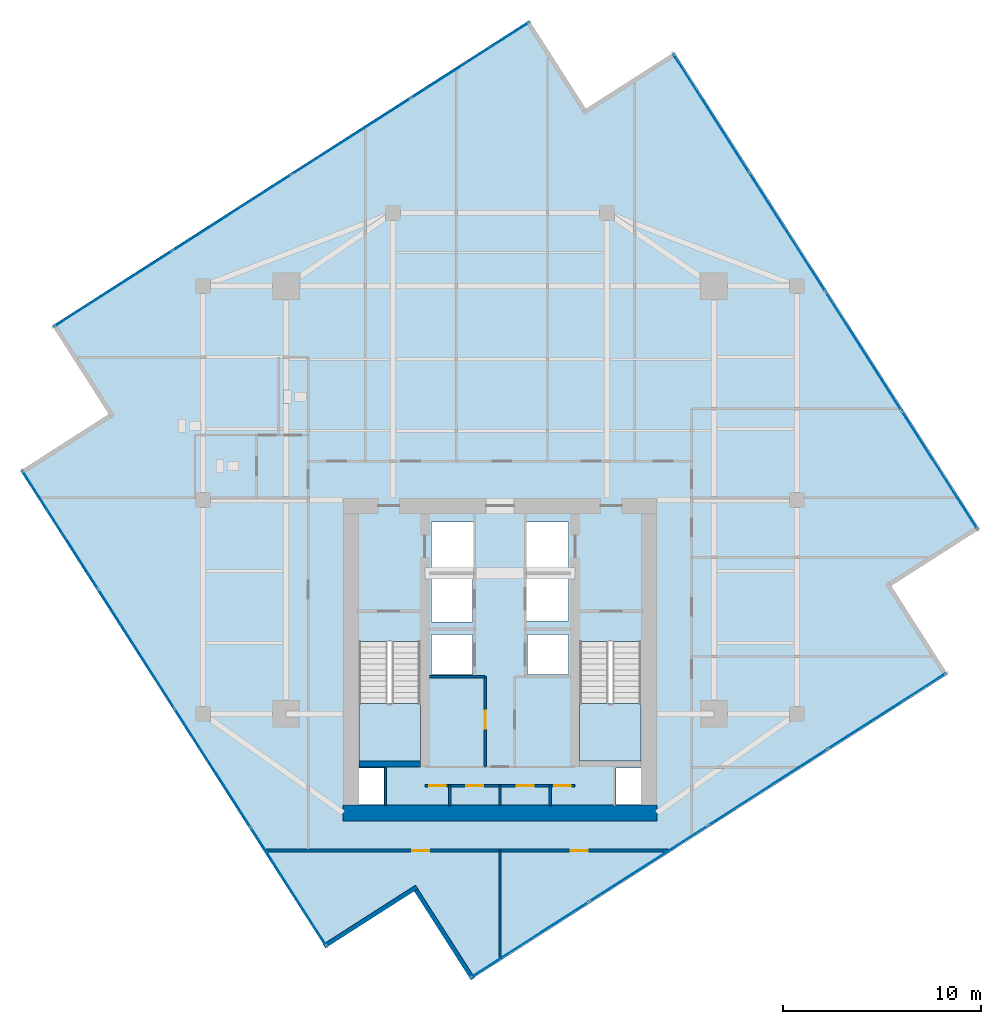
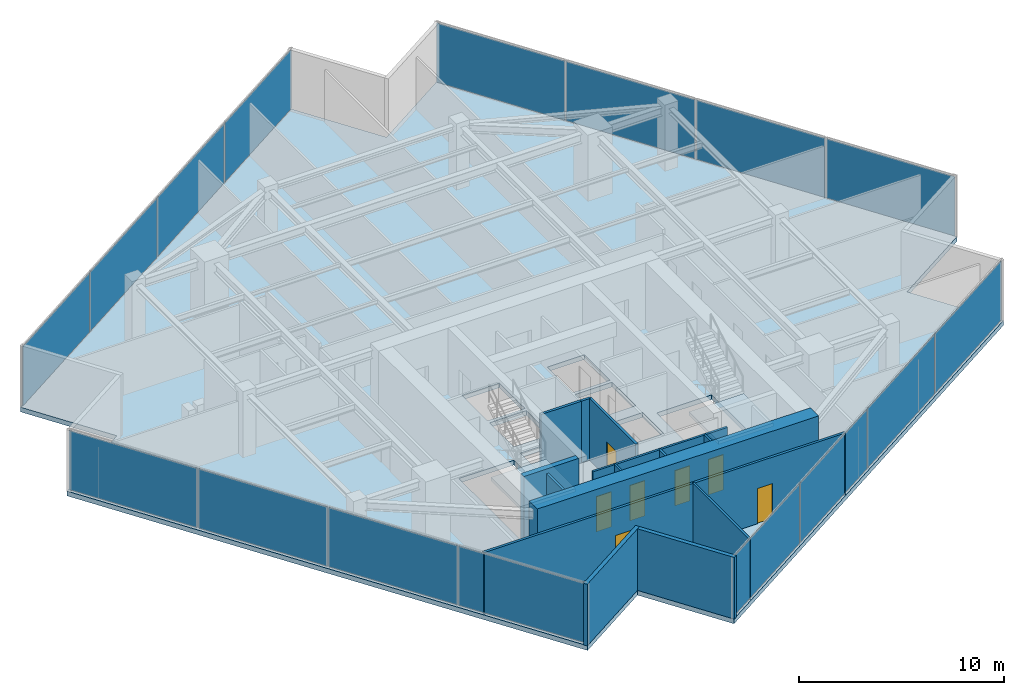
# One storey, part 16 of 20: 16 plates, 14 walls, 7 doors, 3 slabs, 7 openings, 6 elements without a shape of their own.
"""IFC4 building model written with IfcOpenShell, lengths in metres."""

from ifc_helpers import new_model, si_unit, direction, frame, frame_2d, origin, origin_2d, place, context, subcontext, project, spatial, polyline, rectangle, outline, extrude, source, transform, mapped, material, layer, layer_set, type_object, type_shapes, element, fill, aggregate, save


model = new_model("IFC4")

# Units and contexts
model_context = context("Model", 3, precision=1e-05, world=origin(), true_north=direction((0.0, 1.0)))
body_context = subcontext(model_context, "Body", "Model", "MODEL_VIEW")
ifc_project = project(units=[si_unit("LENGTHUNIT", "METRE"), si_unit("AREAUNIT", "SQUARE_METRE"), si_unit("VOLUMEUNIT", "CUBIC_METRE"), si_unit("PLANEANGLEUNIT", "RADIAN"), si_unit("MASSUNIT", "GRAM", prefix="KILO")], contexts=[model_context])

# Site, building, storey
site_placement = place(None, origin())
site = spatial("IfcSite", under=ifc_project, at=site_placement, CompositionType="ELEMENT")
building_placement = place(site_placement, origin())
building = spatial("IfcBuilding", under=site, at=building_placement, Name="Krantzveldt Concourse Tower", CompositionType="ELEMENT")
storey_placement = place(building_placement, frame((0.0, 0.0, 283.199951171875)))
storey = spatial("IfcBuildingStorey", under=building, at=storey_placement, Name="L69", CompositionType="ELEMENT", Elevation=283.199951171875)

# Stair, slab
ifc_material_1 = material(Name="Precast concrete C40/50", Category="concrete")
stair_type = type_object("IfcStairType", Name="STR-CORE-DOGLEG", PredefinedType="HALF_TURN_STAIR", material=ifc_material_1)
stair_1_placement = place(storey_placement, origin())
stair_1 = element("IfcStair", 1, at=stair_1_placement, inside=storey, type_object=stair_type, Name="L69 Protected Escape Stair ST-1", PredefinedType="HALF_TURN_STAIR")
ifc_layer_1 = layer(ifc_material_1, 0.199951171875, Name="Precast concrete C40/50", Category="concrete")
ifc_layer_set_1 = layer_set([ifc_layer_1], Name="Precast concrete C40/50 (SL-LANDING-200)")
slab_type_1 = type_object("IfcSlabType", Name="SL-LANDING-200", PredefinedType="LANDING", material=ifc_layer_set_1)
slab_1_placement = place(storey_placement, frame((0.0, 0.0, 1.775146484375)))
slab_1 = element("IfcSlab", 2, at=slab_1_placement, type_object=slab_type_1, Name="ST-1 landing 1", PredefinedType="LANDING", context=body_context, shape_type="SweptSolid", body=[
    extrude(outline(polyline([(28.8798828125, 16.4150390625), (28.8798828125, 13.52001953125), (31.97998046875, 13.52001953125), (31.97998046875, 16.4150390625), (28.8798828125, 16.4150390625)])), origin(), (0.0, 0.0, 1.0), 0.199951171875),
])
aggregate(stair_1, [slab_1])

stair_2_placement = place(storey_placement, origin())
stair_2 = element("IfcStair", 3, at=stair_2_placement, inside=storey, type_object=stair_type, Name="L69 Protected Escape Stair ST-2", PredefinedType="HALF_TURN_STAIR")
slab_2_placement = place(storey_placement, frame((0.0, 0.0, 1.775146484375)))
slab_2 = element("IfcSlab", 4, at=slab_2_placement, type_object=slab_type_1, Name="ST-2 landing 1", PredefinedType="LANDING", context=body_context, shape_type="SweptSolid", body=[
    extrude(outline(polyline([(40.02001953125, 16.4150390625), (40.02001953125, 13.52001953125), (43.1201171875, 13.52001953125), (43.1201171875, 16.4150390625), (40.02001953125, 16.4150390625)])), origin(), (0.0, 0.0, 1.0), 0.199951171875),
])
aggregate(stair_2, [slab_2])

# Slab
ifc_material_2 = material(Name="Concrete C40/50", Category="concrete")
ifc_layer_2 = layer(ifc_material_2, 0.280029296875, Name="Concrete C40/50", Category="concrete")
ifc_layer_set_2 = layer_set([ifc_layer_2], Name="Concrete C40/50 (SL-SL-TWR280)")
slab_type_2 = type_object("IfcSlabType", Name="SL-SL-TWR280", PredefinedType="FLOOR", material=ifc_layer_set_2)
slab_3_placement = place(storey_placement, frame((0.0, 0.0, -0.280029296875)))
element("IfcSlab", 5, at=slab_3_placement, inside=storey, type_object=slab_type_2, Name="SL-L69-MAIN", PredefinedType="FLOOR", context=body_context, shape_type="SweptSolid", body=[
    extrude(outline(polyline([(40.333984375, 46.453369140625), (37.4765625, 50.917236328125), (13.38916015625, 35.497802734375), (16.24658203125, 31.033935546875), (11.782958984375, 28.176513671875), (27.2021484375, 4.089111328125), (31.666015625, 6.946533203125), (34.5234375, 2.48291015625), (58.61083984375, 17.902099609375), (55.75341796875, 22.365966796875), (60.217041015625, 25.223388671875), (44.7978515625, 49.310791015625), (40.333984375, 46.453369140625)]), holes=[polyline([(28.8798828125, 19.547607421875), (28.8798828125, 13.52001953125), (31.97998046875, 13.52001953125), (31.97998046875, 19.547607421875), (28.8798828125, 19.547607421875)]), polyline([(40.02001953125, 19.547607421875), (40.02001953125, 13.52001953125), (43.1201171875, 13.52001953125), (43.1201171875, 19.547607421875), (40.02001953125, 19.547607421875)]), polyline([(32.550048828125, 23.10009765625), (34.64990234375, 23.10009765625), (34.64990234375, 25.60009765625), (32.550048828125, 25.60009765625), (32.550048828125, 23.10009765625)]), polyline([(37.35009765625, 23.10009765625), (39.449951171875, 23.10009765625), (39.449951171875, 25.60009765625), (37.35009765625, 25.60009765625), (37.35009765625, 23.10009765625)]), polyline([(37.35009765625, 20.60009765625), (39.449951171875, 20.60009765625), (39.449951171875, 22.89990234375), (37.35009765625, 22.89990234375), (37.35009765625, 20.60009765625)]), polyline([(32.550048828125, 20.550048828125), (34.6201171875, 20.550048828125), (34.6201171875, 22.89990234375), (32.550048828125, 22.89990234375), (32.550048828125, 20.550048828125)]), polyline([(32.550048828125, 17.8798828125), (34.6201171875, 17.8798828125), (34.6201171875, 19.919921875), (32.550048828125, 19.919921875), (32.550048828125, 17.8798828125)]), polyline([(37.3798828125, 17.8798828125), (39.449951171875, 17.8798828125), (39.449951171875, 19.919921875), (37.3798828125, 19.919921875), (37.3798828125, 17.8798828125)]), polyline([(28.8798828125, 11.320068359375), (30.139892578125, 11.320068359375), (30.139892578125, 13.159912109375), (28.8798828125, 13.159912109375), (28.8798828125, 11.320068359375)]), polyline([(41.860107421875, 11.320068359375), (43.1201171875, 11.320068359375), (43.1201171875, 13.159912109375), (41.860107421875, 13.159912109375), (41.860107421875, 11.320068359375)])]), origin(), (0.0, 0.0, 1.0), 0.280029296875),
])

# Curtain wall, plates
ifc_material_3 = material(Name="Anodised aluminium 6063-T6", Category="aluminium")
curtain_wall_type = type_object("IfcCurtainWallType", Name="CW4", PredefinedType="USERDEFINED", material=ifc_material_3)
curtain_wall_1_placement = place(storey_placement, origin())
curtain_wall_1 = element("IfcCurtainWall", 6, at=curtain_wall_1_placement, inside=storey, type_object=curtain_wall_type, Name="CW-L69-F01", ObjectType="UNITISED CURTAIN WALL", PredefinedType="USERDEFINED")
ifc_material_4 = material(Name="Bronze-tinted laminated low-E IGU glass", Category="glass")
ifc_layer_3 = layer(ifc_material_4, 0.031982421875, Name="Bronze-tinted laminated low-E IGU glass", Category="glass")
ifc_layer_set_3 = layer_set([ifc_layer_3], Name="Bronze-tinted laminated low-E IGU glass (CW-GLZ-32)")
plate_type = type_object("IfcPlateType", Name="CW-GLZ-32", PredefinedType="CURTAIN_PANEL", material=ifc_layer_set_3)
shared_shape_1 = source(origin(), body_context, "Body", "SweptSolid", [
    extrude(rectangle(XDim=7.044921875, YDim=0.031982421875, at=origin_2d()), origin(), (0.0, 0.0, 1.0), 3.530029296875),
])
plate_1_placement = place(storey_placement, frame((34.49951171875, 48.904541015625, 0.06982421875), z_axis=(0.0, 0.0, 1.0), x_axis=(-0.842217243088, -0.53913830827, 0.0)))
plate_1 = element("IfcPlate", 7, at=plate_1_placement, type_object=plate_type, Name="CW-Z56 panel 1.1", PredefinedType="CURTAIN_PANEL", context=body_context, shape_type="MappedRepresentation", body=[
    mapped(shared_shape_1, transform((0.0, 0.0, 0.0), x_axis=(1.0, 0.0, 0.0), y_axis=(0.0, 1.0, 0.0), z_axis=(0.0, 0.0, 1.0), scale=1.0)),
])
plate_2_placement = place(storey_placement, frame((16.46337890625, 37.35888671875, 0.06982421875), z_axis=(0.0, 0.0, 1.0), x_axis=(-0.842217243088, -0.53913830827, 0.0)))
plate_2 = element("IfcPlate", 8, at=plate_2_placement, type_object=plate_type, Name="CW-Z56 panel 4.1", PredefinedType="CURTAIN_PANEL", context=body_context, shape_type="MappedRepresentation", body=[
    mapped(shared_shape_1, transform((0.0, 0.0, 0.0), x_axis=(1.0, 0.0, 0.0), y_axis=(0.0, 1.0, 0.0), z_axis=(0.0, 0.0, 1.0), scale=1.0)),
])

curtain_wall_2_placement = place(storey_placement, origin())
curtain_wall_2 = element("IfcCurtainWall", 9, at=curtain_wall_2_placement, inside=storey, type_object=curtain_wall_type, Name="CW-L69-F04", ObjectType="UNITISED CURTAIN WALL", PredefinedType="USERDEFINED")
plate_3_placement = place(storey_placement, frame((13.79541015625, 25.199462890625, 0.06982421875), z_axis=(0.0, 0.0, 1.0), x_axis=(0.53913830827, -0.842217243088, 0.0)))
plate_3 = element("IfcPlate", 10, at=plate_3_placement, type_object=plate_type, Name="CW-Z56 panel 1.1", PredefinedType="CURTAIN_PANEL", context=body_context, shape_type="MappedRepresentation", body=[
    mapped(shared_shape_1, transform((0.0, 0.0, 0.0), x_axis=(1.0, 0.0, 0.0), y_axis=(0.0, 1.0, 0.0), z_axis=(0.0, 0.0, 1.0), scale=1.0)),
])
plate_4_placement = place(storey_placement, frame((25.341064453125, 7.163330078125, 0.06982421875), z_axis=(0.0, 0.0, 1.0), x_axis=(0.53913830827, -0.842217243088, 0.0)))
plate_4 = element("IfcPlate", 11, at=plate_4_placement, type_object=plate_type, Name="CW-Z56 panel 4.1", PredefinedType="CURTAIN_PANEL", context=body_context, shape_type="MappedRepresentation", body=[
    mapped(shared_shape_1, transform((0.0, 0.0, 0.0), x_axis=(1.0, 0.0, 0.0), y_axis=(0.0, 1.0, 0.0), z_axis=(0.0, 0.0, 1.0), scale=1.0)),
])

curtain_wall_3_placement = place(storey_placement, origin())
curtain_wall_3 = element("IfcCurtainWall", 12, at=curtain_wall_3_placement, inside=storey, type_object=curtain_wall_type, Name="CW-L69-F07", ObjectType="UNITISED CURTAIN WALL", PredefinedType="USERDEFINED")
plate_5_placement = place(storey_placement, frame((37.50048828125, 4.49560546875, 0.06982421875), z_axis=(0.0, 0.0, 1.0), x_axis=(0.842217243088, 0.53913830827, 0.0)))
plate_5 = element("IfcPlate", 13, at=plate_5_placement, type_object=plate_type, Name="CW-Z56 panel 1.1", PredefinedType="CURTAIN_PANEL", context=body_context, shape_type="MappedRepresentation", body=[
    mapped(shared_shape_1, transform((0.0, 0.0, 0.0), x_axis=(1.0, 0.0, 0.0), y_axis=(0.0, 1.0, 0.0), z_axis=(0.0, 0.0, 1.0), scale=1.0)),
])
plate_6_placement = place(storey_placement, frame((55.53662109375, 16.041259765625, 0.06982421875), z_axis=(0.0, 0.0, 1.0), x_axis=(0.842217243088, 0.53913830827, 0.0)))
plate_6 = element("IfcPlate", 14, at=plate_6_placement, type_object=plate_type, Name="CW-Z56 panel 4.1", PredefinedType="CURTAIN_PANEL", context=body_context, shape_type="MappedRepresentation", body=[
    mapped(shared_shape_1, transform((0.0, 0.0, 0.0), x_axis=(1.0, 0.0, 0.0), y_axis=(0.0, 1.0, 0.0), z_axis=(0.0, 0.0, 1.0), scale=1.0)),
])

curtain_wall_4_placement = place(storey_placement, origin())
curtain_wall_4 = element("IfcCurtainWall", 15, at=curtain_wall_4_placement, inside=storey, type_object=curtain_wall_type, Name="CW-L69-F10", ObjectType="UNITISED CURTAIN WALL", PredefinedType="USERDEFINED")
plate_7_placement = place(storey_placement, frame((58.20458984375, 28.200439453125, 0.06982421875), z_axis=(0.0, 0.0, 1.0), x_axis=(-0.53913830827, 0.842217243088, 0.0)))
plate_7 = element("IfcPlate", 16, at=plate_7_placement, type_object=plate_type, Name="CW-Z56 panel 1.1", PredefinedType="CURTAIN_PANEL", context=body_context, shape_type="MappedRepresentation", body=[
    mapped(shared_shape_1, transform((0.0, 0.0, 0.0), x_axis=(1.0, 0.0, 0.0), y_axis=(0.0, 1.0, 0.0), z_axis=(0.0, 0.0, 1.0), scale=1.0)),
])
plate_8_placement = place(storey_placement, frame((46.658935546875, 46.236572265625, 0.06982421875), z_axis=(0.0, 0.0, 1.0), x_axis=(-0.53913830827, 0.842217243088, 0.0)))
plate_8 = element("IfcPlate", 17, at=plate_8_placement, type_object=plate_type, Name="CW-Z56 panel 4.1", PredefinedType="CURTAIN_PANEL", context=body_context, shape_type="MappedRepresentation", body=[
    mapped(shared_shape_1, transform((0.0, 0.0, 0.0), x_axis=(1.0, 0.0, 0.0), y_axis=(0.0, 1.0, 0.0), z_axis=(0.0, 0.0, 1.0), scale=1.0)),
])

# Plate
shared_shape_2 = source(origin(), body_context, "Body", "SweptSolid", [
    extrude(rectangle(XDim=7.080078125, YDim=0.031982421875, at=origin_2d()), origin(), (0.0, 0.0, 1.0), 3.530029296875),
])
type_shapes(plate_type, [shared_shape_1, shared_shape_2])
plate_9_placement = place(storey_placement, frame((28.492431640625, 45.05908203125, 0.06982421875), z_axis=(0.0, 0.0, 1.0), x_axis=(-0.842217243088, -0.53913830827, 0.0)))
plate_9 = element("IfcPlate", 18, at=plate_9_placement, type_object=plate_type, Name="CW-Z56 panel 2.1", PredefinedType="CURTAIN_PANEL", context=body_context, shape_type="MappedRepresentation", body=[
    mapped(shared_shape_2, transform((0.0, 0.0, 0.0), x_axis=(1.0, 0.0, 0.0), y_axis=(0.0, 1.0, 0.0), z_axis=(0.0, 0.0, 1.0), scale=1.0)),
])

plate_10_placement = place(storey_placement, frame((22.470458984375, 41.204345703125, 0.06982421875), z_axis=(0.0, 0.0, 1.0), x_axis=(-0.842217243088, -0.53913830827, 0.0)))
plate_10 = element("IfcPlate", 19, at=plate_10_placement, type_object=plate_type, Name="CW-Z56 panel 3.1", PredefinedType="CURTAIN_PANEL", context=body_context, shape_type="MappedRepresentation", body=[
    mapped(shared_shape_2, transform((0.0, 0.0, 0.0), x_axis=(1.0, 0.0, 0.0), y_axis=(0.0, 1.0, 0.0), z_axis=(0.0, 0.0, 1.0), scale=1.0)),
])

aggregate(curtain_wall_1, [plate_1, plate_9, plate_10, plate_2])

plate_11_placement = place(storey_placement, frame((17.640869140625, 19.1923828125, 0.06982421875), z_axis=(0.0, 0.0, 1.0), x_axis=(0.53913830827, -0.842217243088, 0.0)))
plate_11 = element("IfcPlate", 20, at=plate_11_placement, type_object=plate_type, Name="CW-Z56 panel 2.1", PredefinedType="CURTAIN_PANEL", context=body_context, shape_type="MappedRepresentation", body=[
    mapped(shared_shape_2, transform((0.0, 0.0, 0.0), x_axis=(1.0, 0.0, 0.0), y_axis=(0.0, 1.0, 0.0), z_axis=(0.0, 0.0, 1.0), scale=1.0)),
])

plate_12_placement = place(storey_placement, frame((21.495849609375, 13.17041015625, 0.06982421875), z_axis=(0.0, 0.0, 1.0), x_axis=(0.53913830827, -0.842217243088, 0.0)))
plate_12 = element("IfcPlate", 21, at=plate_12_placement, type_object=plate_type, Name="CW-Z56 panel 3.1", PredefinedType="CURTAIN_PANEL", context=body_context, shape_type="MappedRepresentation", body=[
    mapped(shared_shape_2, transform((0.0, 0.0, 0.0), x_axis=(1.0, 0.0, 0.0), y_axis=(0.0, 1.0, 0.0), z_axis=(0.0, 0.0, 1.0), scale=1.0)),
])

aggregate(curtain_wall_2, [plate_3, plate_11, plate_12, plate_4])

plate_13_placement = place(storey_placement, frame((43.507568359375, 8.3408203125, 0.06982421875), z_axis=(0.0, 0.0, 1.0), x_axis=(0.842217243088, 0.53913830827, 0.0)))
plate_13 = element("IfcPlate", 22, at=plate_13_placement, type_object=plate_type, Name="CW-Z56 panel 2.1", PredefinedType="CURTAIN_PANEL", context=body_context, shape_type="MappedRepresentation", body=[
    mapped(shared_shape_2, transform((0.0, 0.0, 0.0), x_axis=(1.0, 0.0, 0.0), y_axis=(0.0, 1.0, 0.0), z_axis=(0.0, 0.0, 1.0), scale=1.0)),
])

plate_14_placement = place(storey_placement, frame((49.529541015625, 12.19580078125, 0.06982421875), z_axis=(0.0, 0.0, 1.0), x_axis=(0.842217243088, 0.53913830827, 0.0)))
plate_14 = element("IfcPlate", 23, at=plate_14_placement, type_object=plate_type, Name="CW-Z56 panel 3.1", PredefinedType="CURTAIN_PANEL", context=body_context, shape_type="MappedRepresentation", body=[
    mapped(shared_shape_2, transform((0.0, 0.0, 0.0), x_axis=(1.0, 0.0, 0.0), y_axis=(0.0, 1.0, 0.0), z_axis=(0.0, 0.0, 1.0), scale=1.0)),
])

aggregate(curtain_wall_3, [plate_5, plate_13, plate_14, plate_6])

plate_15_placement = place(storey_placement, frame((54.359130859375, 34.207763671875, 0.06982421875), z_axis=(0.0, 0.0, 1.0), x_axis=(-0.53913830827, 0.842217243088, 0.0)))
plate_15 = element("IfcPlate", 24, at=plate_15_placement, type_object=plate_type, Name="CW-Z56 panel 2.1", PredefinedType="CURTAIN_PANEL", context=body_context, shape_type="MappedRepresentation", body=[
    mapped(shared_shape_2, transform((0.0, 0.0, 0.0), x_axis=(1.0, 0.0, 0.0), y_axis=(0.0, 1.0, 0.0), z_axis=(0.0, 0.0, 1.0), scale=1.0)),
])

plate_16_placement = place(storey_placement, frame((50.504150390625, 40.2294921875, 0.06982421875), z_axis=(0.0, 0.0, 1.0), x_axis=(-0.53913830827, 0.842217243088, 0.0)))
plate_16 = element("IfcPlate", 25, at=plate_16_placement, type_object=plate_type, Name="CW-Z56 panel 3.1", PredefinedType="CURTAIN_PANEL", context=body_context, shape_type="MappedRepresentation", body=[
    mapped(shared_shape_2, transform((0.0, 0.0, 0.0), x_axis=(1.0, 0.0, 0.0), y_axis=(0.0, 1.0, 0.0), z_axis=(0.0, 0.0, 1.0), scale=1.0)),
])

aggregate(curtain_wall_4, [plate_7, plate_15, plate_16, plate_8])

# Walls
ifc_layer_4 = layer(ifc_material_3, 0.219970703125, Name="Anodised aluminium 6063-T6", Category="aluminium")
ifc_layer_set_4 = layer_set([ifc_layer_4], Name="Anodised aluminium 6063-T6 (WL-EXT-NOTCH220)")
wall_type_1 = type_object("IfcWallType", Name="WL-EXT-NOTCH220", PredefinedType="ELEMENTEDWALL", material=ifc_layer_set_4)
wall_1_placement = place(storey_placement, frame((27.121826171875, 4.16845703125, 0.0), z_axis=(0.0, 0.0, 1.0), x_axis=(0.842222620948, 0.539129907131, 0.0)))
element("IfcWall", 26, at=wall_1_placement, inside=storey, type_object=wall_type_1, Name="EW-L69-NCH05", PredefinedType="ELEMENTEDWALL", context=body_context, shape_type="SweptSolid", body=[
    extrude(rectangle(XDim=5.545166015625, YDim=0.219970703125, at=frame_2d((2.7724609375, 0.0))), origin(), (0.0, 0.0, 1.0), 3.670166015625),
])
wall_2_placement = place(storey_placement, frame((31.758544921875, 7.005859375, 0.0), z_axis=(0.0, 0.0, 1.0), x_axis=(0.539157771194, -0.842204783744, 0.0)))
element("IfcWall", 27, at=wall_2_placement, inside=storey, type_object=wall_type_1, Name="EW-L69-NCH06", PredefinedType="ELEMENTEDWALL", context=body_context, shape_type="SweptSolid", body=[
    extrude(rectangle(XDim=5.3251953125, YDim=0.219970703125, at=frame_2d((2.66259765625, 0.0))), origin(), (0.0, 0.0, 1.0), 3.670166015625),
])

# Wall, openings, doors
ifc_material_5 = material(Name="Fire-rated gypsum plasterboard on steel stud", Category="steel")
ifc_layer_5 = layer(ifc_material_5, 0.1201171875, Name="Fire-rated gypsum plasterboard on steel stud", Category="steel")
ifc_layer_set_5 = layer_set([ifc_layer_5], Name="Fire-rated gypsum plasterboard on steel stud (WL-PART-120)")
wall_type_2 = type_object("IfcWallType", Name="WL-PART-120", PredefinedType="PARTITIONING", material=ifc_layer_set_5)
wall_3_placement = place(storey_placement, frame((32.2099609375, 12.280029296875, 0.0), z_axis=(0.0, 0.0, 1.0), x_axis=(1.0, 0.0, 0.0)))
wall_3 = element("IfcWall", 28, at=wall_3_placement, inside=storey, type_object=wall_type_2, Name="WP-L69-CSD-HM", PredefinedType="PARTITIONING", context=body_context, shape_type="SweptSolid", body=[
    extrude(rectangle(XDim=7.580078125, YDim=0.1201171875, at=frame_2d((3.7900390625, 0.0))), origin(), (0.0, 0.0, 1.0), 3.670166015625),
])
opening_1_placement = place(wall_3_placement, frame((0.205078125, 0.0, 0.0)))
opening_1 = element("IfcOpeningElement", 29, at=opening_1_placement, cuts=wall_3, Name="Opening D-IN085", PredefinedType="OPENING", context=body_context, shape_type="SweptSolid", body=[
    extrude(rectangle(XDim=0.85009765625, YDim=2.10009765625, at=frame_2d((0.425048828125, 1.050048828125))), frame((0.0, 0.070068359375, 0.0), z_axis=(0.0, -1.0, 0.0), x_axis=(1.0, 0.0, 0.0)), (0.0, 0.0, 1.0), 0.14013671875),
])
opening_2_placement = place(wall_3_placement, frame((2.094970703125, 0.0, 0.0)))
opening_2 = element("IfcOpeningElement", 30, at=opening_2_placement, cuts=wall_3, Name="Opening D-IN085", PredefinedType="OPENING", context=body_context, shape_type="SweptSolid", body=[
    extrude(rectangle(XDim=0.85009765625, YDim=2.10009765625, at=frame_2d((0.425048828125, 1.050048828125))), frame((0.0, 0.070068359375, 0.0), z_axis=(0.0, -1.0, 0.0), x_axis=(1.0, 0.0, 0.0)), (0.0, 0.0, 1.0), 0.14013671875),
])
opening_3_placement = place(wall_3_placement, frame((4.635009765625, 0.0, 0.0)))
opening_3 = element("IfcOpeningElement", 31, at=opening_3_placement, cuts=wall_3, Name="Opening D-IN085", PredefinedType="OPENING", context=body_context, shape_type="SweptSolid", body=[
    extrude(rectangle(XDim=0.85009765625, YDim=2.10009765625, at=frame_2d((0.425048828125, 1.050048828125))), frame((0.0, 0.070068359375, 0.0), z_axis=(0.0, -1.0, 0.0), x_axis=(1.0, 0.0, 0.0)), (0.0, 0.0, 1.0), 0.14013671875),
])
opening_4_placement = place(wall_3_placement, frame((6.52490234375, 0.0, 0.0)))
opening_4 = element("IfcOpeningElement", 32, at=opening_4_placement, cuts=wall_3, Name="Opening D-IN085", PredefinedType="OPENING", context=body_context, shape_type="SweptSolid", body=[
    extrude(rectangle(XDim=0.85009765625, YDim=2.10009765625, at=frame_2d((0.425048828125, 1.050048828125))), frame((0.0, 0.070068359375, 0.0), z_axis=(0.0, -1.0, 0.0), x_axis=(1.0, 0.0, 0.0)), (0.0, 0.0, 1.0), 0.14013671875),
])
ifc_material_6 = material(Name="Hardwood timber", Category="wood")
door_type_1 = type_object("IfcDoorType", Name="DR-INT-850", OperationType="SINGLE_SWING_LEFT", PredefinedType="DOOR", material=ifc_material_6)
door_1_placement = place(opening_1_placement, origin())
door_1 = element("IfcDoor", 33, at=door_1_placement, inside=storey, type_object=door_type_1, Name="DR-L69-CSD1", OperationType="SINGLE_SWING_RIGHT", OverallHeight=2.10009765625, OverallWidth=0.85009765625, PredefinedType="DOOR", context=body_context, shape_type="SweptSolid", body=[
    extrude(rectangle(XDim=0.85009765625, YDim=2.10009765625, at=frame_2d((0.425048828125, 1.050048828125))), frame((0.0, 0.02490234375, 0.0), z_axis=(0.0, -1.0, 0.0), x_axis=(1.0, 0.0, 0.0)), (0.0, 0.0, 1.0), 0.050048828125),
])
fill(opening_1, door_1)
door_2_placement = place(opening_2_placement, origin())
door_2 = element("IfcDoor", 34, at=door_2_placement, inside=storey, type_object=door_type_1, Name="DR-L69-CSD2", OperationType="SINGLE_SWING_RIGHT", OverallHeight=2.10009765625, OverallWidth=0.85009765625, PredefinedType="DOOR", context=body_context, shape_type="SweptSolid", body=[
    extrude(rectangle(XDim=0.85009765625, YDim=2.10009765625, at=frame_2d((0.425048828125, 1.050048828125))), frame((0.0, 0.02490234375, 0.0), z_axis=(0.0, -1.0, 0.0), x_axis=(1.0, 0.0, 0.0)), (0.0, 0.0, 1.0), 0.050048828125),
])
fill(opening_2, door_2)
door_3_placement = place(opening_3_placement, origin())
door_3 = element("IfcDoor", 35, at=door_3_placement, inside=storey, type_object=door_type_1, Name="DR-L69-CSD3", OperationType="SINGLE_SWING_RIGHT", OverallHeight=2.10009765625, OverallWidth=0.85009765625, PredefinedType="DOOR", context=body_context, shape_type="SweptSolid", body=[
    extrude(rectangle(XDim=0.85009765625, YDim=2.10009765625, at=frame_2d((0.425048828125, 1.050048828125))), frame((0.0, 0.02490234375, 0.0), z_axis=(0.0, -1.0, 0.0), x_axis=(1.0, 0.0, 0.0)), (0.0, 0.0, 1.0), 0.050048828125),
])
fill(opening_3, door_3)
door_4_placement = place(opening_4_placement, origin())
door_4 = element("IfcDoor", 36, at=door_4_placement, inside=storey, type_object=door_type_1, Name="DR-L69-CSD4", OperationType="SINGLE_SWING_RIGHT", OverallHeight=2.10009765625, OverallWidth=0.85009765625, PredefinedType="DOOR", context=body_context, shape_type="SweptSolid", body=[
    extrude(rectangle(XDim=0.85009765625, YDim=2.10009765625, at=frame_2d((0.425048828125, 1.050048828125))), frame((0.0, 0.02490234375, 0.0), z_axis=(0.0, -1.0, 0.0), x_axis=(1.0, 0.0, 0.0)), (0.0, 0.0, 1.0), 0.050048828125),
])
fill(opening_4, door_4)

# Walls
for number, where, z_axis, x_axis, name in (
    (37, (33.469970703125, 11.25, 0.0), (0.0, 0.0, 1.0), (0.0, 1.0, 0.0), "WP-L69-CSD-V1"),
    (38, (36.0, 11.25, 0.0), (0.0, 0.0, 1.0), (0.0, 1.0, 0.0), "WP-L69-CSD-V2"),
    (39, (38.530029296875, 11.25, 0.0), (0.0, 0.0, 1.0), (0.0, 1.0, 0.0), "WP-L69-CSD-V3"),
):
    element("IfcWall", number, at=place(storey_placement, frame(where, z_axis=z_axis, x_axis=x_axis)), inside=storey, type_object=wall_type_2, Name=name, PredefinedType="PARTITIONING", context=body_context, shape_type="SweptSolid", body=[
        extrude(rectangle(XDim=1.030029296875, YDim=0.1201171875, at=frame_2d((0.51513671875, 0.0))), origin(), (0.0, 0.0, 1.0), 3.670166015625),
    ])
wall_4_placement = place(storey_placement, frame((36.0, 3.534912109375, 0.0), z_axis=(0.0, 0.0, 1.0), x_axis=(0.0, 1.0, 0.0)))
element("IfcWall", 40, at=wall_4_placement, inside=storey, type_object=wall_type_2, Name="WP-L69-SSMD", PredefinedType="PARTITIONING", context=body_context, shape_type="SweptSolid", body=[
    extrude(rectangle(XDim=5.465087890625, YDim=0.1201171875, at=frame_2d((2.732421875, 0.0))), origin(), (0.0, 0.0, 1.0), 3.670166015625),
])

# Wall, openings, doors
ifc_layer_6 = layer(ifc_material_5, 0.139892578125, Name="Fire-rated gypsum plasterboard on steel stud", Category="steel")
ifc_layer_set_6 = layer_set([ifc_layer_6], Name="Fire-rated gypsum plasterboard on steel stud (WL-PART-140)")
wall_type_3 = type_object("IfcWallType", Name="WL-PART-140", PredefinedType="PARTITIONING", material=ifc_layer_set_6)
wall_5_placement = place(storey_placement, frame((24.16552734375, 9.0, 0.0), z_axis=(0.0, 0.0, 1.0), x_axis=(1.0, 0.0, 0.0)))
wall_5 = element("IfcWall", 41, at=wall_5_placement, inside=storey, type_object=wall_type_3, Name="WP-L69-CSBOT", PredefinedType="PARTITIONING", context=body_context, shape_type="SweptSolid", body=[
    extrude(rectangle(XDim=20.37158203125, YDim=0.139892578125, at=frame_2d((10.185791015625, 0.0))), origin(), (0.0, 0.0, 1.0), 3.670166015625),
])
opening_5_placement = place(wall_5_placement, frame((7.409423828125, 0.0, 0.0)))
opening_5 = element("IfcOpeningElement", 42, at=opening_5_placement, cuts=wall_5, Name="Opening D-IN085", PredefinedType="OPENING", context=body_context, shape_type="SweptSolid", body=[
    extrude(rectangle(XDim=0.85009765625, YDim=2.10009765625, at=frame_2d((0.425048828125, 1.050048828125))), frame((0.0, 0.080078125, 0.0), z_axis=(0.0, -1.0, 0.0), x_axis=(1.0, 0.0, 0.0)), (0.0, 0.0, 1.0), 0.159912109375),
])
opening_6_placement = place(wall_5_placement, frame((15.409423828125, 0.0, 0.0)))
opening_6 = element("IfcOpeningElement", 43, at=opening_6_placement, cuts=wall_5, Name="Opening D-IN085", PredefinedType="OPENING", context=body_context, shape_type="SweptSolid", body=[
    extrude(rectangle(XDim=0.85009765625, YDim=2.10009765625, at=frame_2d((0.425048828125, 1.050048828125))), frame((0.0, 0.080078125, 0.0), z_axis=(0.0, -1.0, 0.0), x_axis=(1.0, 0.0, 0.0)), (0.0, 0.0, 1.0), 0.159912109375),
])
door_5_placement = place(opening_5_placement, origin())
door_5 = element("IfcDoor", 44, at=door_5_placement, inside=storey, type_object=door_type_1, Name="DR-L69-SR1", OperationType="SINGLE_SWING_LEFT", OverallHeight=2.10009765625, OverallWidth=0.85009765625, PredefinedType="DOOR", context=body_context, shape_type="SweptSolid", body=[
    extrude(rectangle(XDim=0.85009765625, YDim=2.10009765625, at=frame_2d((0.425048828125, 1.050048828125))), frame((0.0, 0.02490234375, 0.0), z_axis=(0.0, -1.0, 0.0), x_axis=(1.0, 0.0, 0.0)), (0.0, 0.0, 1.0), 0.050048828125),
])
fill(opening_5, door_5)
door_6_placement = place(opening_6_placement, origin())
door_6 = element("IfcDoor", 45, at=door_6_placement, inside=storey, type_object=door_type_1, Name="DR-L69-SR2", OperationType="SINGLE_SWING_LEFT", OverallHeight=2.10009765625, OverallWidth=0.85009765625, PredefinedType="DOOR", context=body_context, shape_type="SweptSolid", body=[
    extrude(rectangle(XDim=0.85009765625, YDim=2.10009765625, at=frame_2d((0.425048828125, 1.050048828125))), frame((0.0, 0.02490234375, 0.0), z_axis=(0.0, -1.0, 0.0), x_axis=(1.0, 0.0, 0.0)), (0.0, 0.0, 1.0), 0.050048828125),
])
fill(opening_6, door_6)

# Wall
ifc_layer_7 = layer(ifc_material_5, 0.139892578125, Name="Fire-rated gypsum plasterboard on steel stud", Category="steel")
ifc_layer_set_7 = layer_set([ifc_layer_7], Name="Fire-rated gypsum plasterboard on steel stud (WL-PART-FR140)")
wall_type_4 = type_object("IfcWallType", Name="WL-PART-FR140", PredefinedType="PARTITIONING", material=ifc_layer_set_7)
wall_6_placement = place(storey_placement, frame((32.449951171875, 17.780029296875, 0.0), z_axis=(0.0, 0.0, 1.0), x_axis=(1.0, 0.0, 0.0)))
element("IfcWall", 46, at=wall_6_placement, inside=storey, type_object=wall_type_4, Name="WP-L69-DIVW2", PredefinedType="PARTITIONING", context=body_context, shape_type="SweptSolid", body=[
    extrude(rectangle(XDim=2.27001953125, YDim=0.139892578125, at=frame_2d((1.135009765625, 0.0))), origin(), (0.0, 0.0, 1.0), 3.670166015625),
])

# Wall, opening, door
wall_7_placement = place(storey_placement, frame((35.25, 13.219970703125, 0.0), z_axis=(0.0, 0.0, 1.0), x_axis=(0.0, 1.0, 0.0)))
wall_7 = element("IfcWall", 47, at=wall_7_placement, inside=storey, type_object=wall_type_4, Name="WP-L69-RECW", PredefinedType="PARTITIONING", context=body_context, shape_type="SweptSolid", body=[
    extrude(rectangle(XDim=4.56005859375, YDim=0.139892578125, at=frame_2d((2.280029296875, 0.0))), origin(), (0.0, 0.0, 1.0), 3.670166015625),
])
opening_7_placement = place(wall_7_placement, frame((1.929931640625, 0.0, 0.0)))
opening_7 = element("IfcOpeningElement", 48, at=opening_7_placement, cuts=wall_7, Name="Opening D-FD090", PredefinedType="OPENING", context=body_context, shape_type="SweptSolid", body=[
    extrude(rectangle(XDim=0.89990234375, YDim=2.10009765625, at=frame_2d((0.449951171875, 1.050048828125))), frame((0.0, 0.080078125, 0.0), z_axis=(0.0, -1.0, 0.0), x_axis=(1.0, 0.0, 0.0)), (0.0, 0.0, 1.0), 0.159912109375),
])
door_type_2 = type_object("IfcDoorType", Name="DR-FD60-900", OperationType="SINGLE_SWING_LEFT", PredefinedType="DOOR", material=ifc_material_6)
door_7_placement = place(opening_7_placement, origin())
door_7 = element("IfcDoor", 49, at=door_7_placement, inside=storey, type_object=door_type_2, Name="DR-L69-RECW", OperationType="SINGLE_SWING_LEFT", OverallHeight=2.10009765625, OverallWidth=0.89990234375, PredefinedType="DOOR", context=body_context, shape_type="SweptSolid", body=[
    extrude(rectangle(XDim=0.89990234375, YDim=2.10009765625, at=frame_2d((0.449951171875, 1.050048828125))), frame((0.0, 0.02490234375, 0.0), z_axis=(0.0, -1.0, 0.0), x_axis=(1.0, 0.0, 0.0)), (0.0, 0.0, 1.0), 0.050048828125),
])
fill(opening_7, door_7)

# Walls
wall_8_placement = place(storey_placement, frame((34.719970703125, 17.780029296875, 0.0), z_axis=(0.0, 0.0, 1.0), x_axis=(1.0, 0.0, 0.0)))
element("IfcWall", 50, at=wall_8_placement, inside=storey, type_object=wall_type_4, Name="WP-L69-RECWN", PredefinedType="PARTITIONING", context=body_context, shape_type="SweptSolid", body=[
    extrude(rectangle(XDim=0.530029296875, YDim=0.139892578125, at=frame_2d((0.26513671875, 0.0))), origin(), (0.0, 0.0, 1.0), 3.670166015625),
])
wall_9_placement = place(storey_placement, frame((30.219970703125, 11.25, 0.0), z_axis=(0.0, 0.0, 1.0), x_axis=(0.0, 1.0, 0.0)))
element("IfcWall", 51, at=wall_9_placement, inside=storey, type_object=wall_type_4, Name="WP-L69-RSW", PredefinedType="PARTITIONING", context=body_context, shape_type="SweptSolid", body=[
    extrude(rectangle(XDim=1.969970703125, YDim=0.1201171875, at=frame_2d((0.98486328125, 0.0))), origin(), (0.0, 0.0, 1.0), 3.670166015625),
])
ifc_material_7 = material(Name="Concrete C50/60", Category="concrete")
ifc_layer_8 = layer(ifc_material_7, 0.300048828125, Name="Concrete C50/60", Category="concrete")
ifc_layer_set_8 = layer_set([ifc_layer_8], Name="Concrete C50/60 (WL-SHEAR-300)")
wall_type_5 = type_object("IfcWallType", Name="WL-SHEAR-300", PredefinedType="SHEAR", material=ifc_layer_set_8)
wall_10_placement = place(storey_placement, frame((28.8798828125, 13.3701171875, 0.0), z_axis=(0.0, 0.0, 1.0), x_axis=(1.0, 0.0, 0.0)))
element("IfcWall", 52, at=wall_10_placement, inside=storey, type_object=wall_type_5, Name="CW-L69-ST1S", PredefinedType="SHEAR", context=body_context, shape_type="SweptSolid", body=[
    extrude(rectangle(XDim=3.10009765625, YDim=0.300048828125, at=frame_2d((1.550048828125, 0.0))), origin(), (0.0, 0.0, 1.0), 3.949951171875),
])
ifc_material_8 = material(Name="Concrete C60/75", Category="concrete")
ifc_layer_9 = layer(ifc_material_8, 0.800048828125, Name="Concrete C60/75", Category="concrete")
ifc_layer_set_9 = layer_set([ifc_layer_9], Name="Concrete C60/75 (WL-SHEAR-800)")
wall_type_6 = type_object("IfcWallType", Name="WL-SHEAR-800", PredefinedType="SHEAR", material=ifc_layer_set_9)
wall_11_placement = place(storey_placement, frame((28.080078125, 10.89990234375, 0.0), z_axis=(0.0, 0.0, 1.0), x_axis=(1.0, 0.0, 0.0)))
element("IfcWall", 53, at=wall_11_placement, inside=storey, type_object=wall_type_6, Name="CW-L69-S", PredefinedType="SHEAR", context=body_context, shape_type="SweptSolid", body=[
    extrude(rectangle(XDim=15.83984375, YDim=0.800048828125, at=frame_2d((7.919921875, 0.0))), origin(), (0.0, 0.0, 1.0), 3.949951171875),
])

save(model, "model.ifc")
